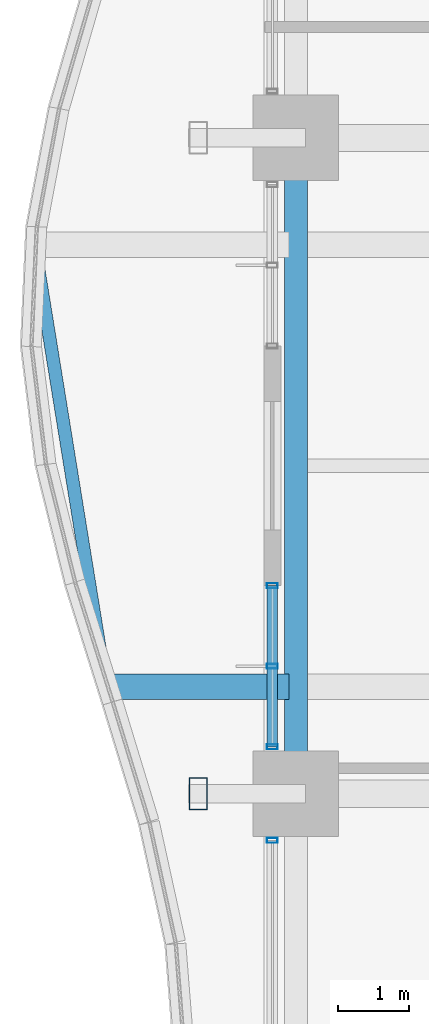
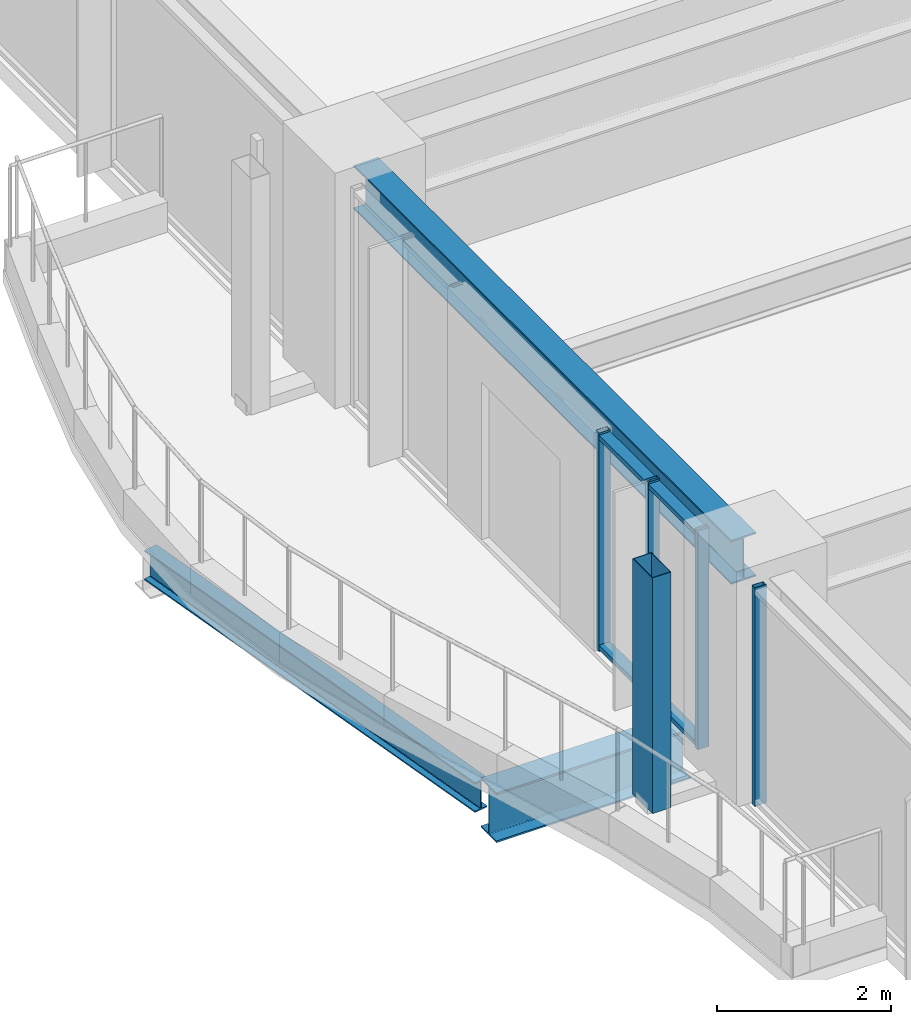
# One storey, part 8 of 38: 7 members, 3 beams, 2 elements without a shape of their own.
"""IFC4 building model written with IfcOpenShell, lengths in metres."""

from ifc_helpers import new_model, si_unit, direction, frame, origin, origin_2d, place, context, subcontext, project, spatial, hollow_rectangle, i_section, extrude, material, material_profile, profile_set, type_object, element, aggregate, save


model = new_model("IFC4")

# Units and contexts
model_context = context("Model", 3, precision=1e-05, world=origin(), true_north=direction((0.0, 1.0)))
body_context = subcontext(model_context, "Body", "Model", "MODEL_VIEW")
ifc_project = project(units=[si_unit("LENGTHUNIT", "METRE"), si_unit("AREAUNIT", "SQUARE_METRE"), si_unit("VOLUMEUNIT", "CUBIC_METRE"), si_unit("PLANEANGLEUNIT", "RADIAN"), si_unit("MASSUNIT", "GRAM", prefix="KILO")], contexts=[model_context])

# Site, building, storey
site_placement = place(None, origin())
site = spatial("IfcSite", under=ifc_project, at=site_placement, CompositionType="ELEMENT")
building_placement = place(site_placement, origin())
building = spatial("IfcBuilding", under=site, at=building_placement, Name="Kolvaren Belvedere", CompositionType="ELEMENT")
storey_placement = place(building_placement, frame((0.0, 0.0, 53.5)))
storey = spatial("IfcBuildingStorey", under=building, at=storey_placement, Name="L15", CompositionType="ELEMENT", Elevation=53.5)

# Beams
ifc_material_1 = material(Name="Structural steel ASTM A992 Grade 50", Category="steel")
ifc_material_profile_1 = material_profile(ifc_material_1, i_section(OverallWidth=0.35498046875, OverallDepth=0.696044921875, WebThickness=0.015380859375, FlangeThickness=0.02490234375, FilletRadius=0.02197265625, at=origin_2d()), Name="W27X146")
ifc_profile_set_1 = profile_set([ifc_material_profile_1], Name="Structural steel ASTM A992 Grade 50")
beam_type_1 = type_object("IfcBeamType", Name="BM-CANT-BAL", PredefinedType="BEAM", material=ifc_profile_set_1)
beam_1_placement = place(storey_placement, frame((-21.64501953125, -3.10009765625, -0.587890625), z_axis=(-1.0, 0.0, 0.0), x_axis=(0.0, -1.0, 0.0)))
element("IfcBeam", 1, at=beam_1_placement, inside=storey, type_object=beam_type_1, Name="L15 Planted Balcony Cantilever BAL-W-1", PredefinedType="BEAM", context=body_context, shape_type="SweptSolid", body=[
    extrude(i_section(OverallWidth=0.35498046875, OverallDepth=0.696044921875, WebThickness=0.015380859375, FlangeThickness=0.02490234375, FilletRadius=0.02197265625, at=origin_2d()), origin(), (0.0, 0.0, 1.0), 2.56884765625),
])
ifc_material_2 = material(Name="Structural steel ASTM A992 Grade 50", Category="steel")
ifc_material_profile_2 = material_profile(ifc_material_2, i_section(OverallWidth=0.180908203125, OverallDepth=0.4169921875, WebThickness=0.010986328125, FlangeThickness=0.018310546875, FilletRadius=0.013916015625, at=origin_2d()), Name="W16X57")
ifc_profile_set_2 = profile_set([ifc_material_profile_2], Name="Structural steel ASTM A992 Grade 50")
beam_type_2 = type_object("IfcBeamType", Name="BM-EDGE-W16X57", PredefinedType="BEAM", material=ifc_profile_set_2)
beam_2_placement = place(storey_placement, frame((-24.236083984375, -2.9619140625, -0.448486328125), z_axis=(-0.159567567211, 0.987187009383, 0.0), x_axis=(-0.987187009383, -0.159567567211, 0.0)))
element("IfcBeam", 2, at=beam_2_placement, inside=storey, type_object=beam_type_2, Name="L15 Balcony Tip Header Beam BAL-W", PredefinedType="BEAM", context=body_context, shape_type="SweptSolid", body=[
    extrude(i_section(OverallWidth=0.180908203125, OverallDepth=0.4169921875, WebThickness=0.010986328125, FlangeThickness=0.018310546875, FilletRadius=0.013916015625, at=origin_2d()), origin(), (0.0, 0.0, 1.0), 6.000732421875),
])
ifc_material_3 = material(Name="Structural steel ASTM A992 Grade 50", Category="steel")
ifc_material_profile_3 = material_profile(ifc_material_3, i_section(OverallWidth=0.324951171875, OverallDepth=0.615966796875, WebThickness=0.013916015625, FlangeThickness=0.021484375, FilletRadius=0.02001953125, at=origin_2d()), Name="W24X117")
ifc_profile_set_3 = profile_set([ifc_material_profile_3], Name="Structural steel ASTM A992 Grade 50")
beam_type_3 = type_object("IfcBeamType", Name="BM-SPAN-W24X117", PredefinedType="SPANDREL", material=ifc_profile_set_3)
beam_3_placement = place(storey_placement, frame((-21.550048828125, 4.330078125, 2.751953125), z_axis=(0.0, -1.0, 0.0), x_axis=(1.0, 0.0, 0.0)))
element("IfcBeam", 3, at=beam_3_placement, inside=storey, type_object=beam_type_3, Name="L15 Perimeter Spandrel W3-W2", PredefinedType="SPANDREL", context=body_context, shape_type="SweptSolid", body=[
    extrude(i_section(OverallWidth=0.324951171875, OverallDepth=0.615966796875, WebThickness=0.013916015625, FlangeThickness=0.021484375, FilletRadius=0.02001953125, at=origin_2d()), origin(), (0.0, 0.0, 1.0), 8.66015625),
])

# Curtain wall, member
ifc_material_4 = material(Name="Anodised pale-metal aluminium AA 6063-T6", Category="aluminium")
curtain_wall_type = type_object("IfcCurtainWallType", Name="CW-Z1-LOW", PredefinedType="NOTDEFINED", material=ifc_material_4)
curtain_wall_1_placement = place(storey_placement, origin())
curtain_wall_1 = element("IfcCurtainWall", 4, at=curtain_wall_1_placement, inside=storey, type_object=curtain_wall_type, Name="L15 Unitised Curtain Wall FCW-L15-W1-B1", PredefinedType="NOTDEFINED")
ifc_material_5 = material(Name="Anodised pale-metal aluminium AA 6063-T6", Category="aluminium")
ifc_material_profile_4 = material_profile(ifc_material_5, hollow_rectangle(XDim=0.070068359375, YDim=0.14990234375, WallThickness=0.004150390625, at=origin_2d()), Name="ALU-MUL-150X70")
ifc_profile_set_4 = profile_set([ifc_material_profile_4], Name="Anodised pale-metal aluminium AA 6063-T6")
member_type_1 = type_object("IfcMemberType", Name="CW-MUL-150", PredefinedType="MULLION", material=ifc_profile_set_4)
member_1_placement = place(storey_placement, frame((-21.8798828125, -5.2548828125, 0.0), z_axis=(0.0, 0.0, 1.0), x_axis=(0.0, 1.0, 0.0)))
member_1 = element("IfcMember", 5, at=member_1_placement, type_object=member_type_1, Name="FCW-L15-W1-B1 Unitised Mullion 3", PredefinedType="MULLION", context=body_context, shape_type="SweptSolid", body=[
    extrude(hollow_rectangle(XDim=0.070068359375, YDim=0.14990234375, WallThickness=0.004150390625, at=origin_2d()), origin(), (0.0, 0.0, 1.0), 3.06005859375),
])
aggregate(curtain_wall_1, [member_1])

# Curtain wall, members
curtain_wall_2_placement = place(storey_placement, origin())
curtain_wall_2 = element("IfcCurtainWall", 6, at=curtain_wall_2_placement, inside=storey, type_object=curtain_wall_type, Name="L15 Unitised Curtain Wall FCW-L15-W1-B2", PredefinedType="NOTDEFINED")
member_2_placement = place(storey_placement, frame((-21.8798828125, -3.945068359375, 0.0), z_axis=(0.0, 0.0, 1.0), x_axis=(0.0, 1.0, 0.0)))
member_2 = element("IfcMember", 7, at=member_2_placement, type_object=member_type_1, Name="FCW-L15-W1-B2 Unitised Mullion 1", PredefinedType="MULLION", context=body_context, shape_type="SweptSolid", body=[
    extrude(hollow_rectangle(XDim=0.070068359375, YDim=0.14990234375, WallThickness=0.004150390625, at=origin_2d()), origin(), (0.0, 0.0, 1.0), 3.06005859375),
])
member_3_placement = place(storey_placement, frame((-21.8798828125, -2.8125, 0.0), z_axis=(0.0, 0.0, 1.0), x_axis=(0.0, 1.0, 0.0)))
member_3 = element("IfcMember", 8, at=member_3_placement, type_object=member_type_1, Name="FCW-L15-W1-B2 Unitised Mullion 2", PredefinedType="MULLION", context=body_context, shape_type="SweptSolid", body=[
    extrude(hollow_rectangle(XDim=0.070068359375, YDim=0.14990234375, WallThickness=0.004150390625, at=origin_2d()), origin(), (0.0, 0.0, 1.0), 3.06005859375),
])
member_4_placement = place(storey_placement, frame((-21.8798828125, -1.679931640625, 0.0), z_axis=(0.0, 0.0, 1.0), x_axis=(0.0, 1.0, 0.0)))
member_4 = element("IfcMember", 9, at=member_4_placement, type_object=member_type_1, Name="FCW-L15-W1-B2 Unitised Mullion 3", PredefinedType="MULLION", context=body_context, shape_type="SweptSolid", body=[
    extrude(hollow_rectangle(XDim=0.070068359375, YDim=0.14990234375, WallThickness=0.004150390625, at=origin_2d()), origin(), (0.0, 0.0, 1.0), 3.06005859375),
])
ifc_material_6 = material(Name="Anodised pale-metal aluminium AA 6063-T6", Category="aluminium")
ifc_material_profile_5 = material_profile(ifc_material_6, hollow_rectangle(XDim=0.06494140625, YDim=0.14990234375, WallThickness=0.00390625, at=origin_2d()), Name="ALU-TRN-150X65")
ifc_profile_set_5 = profile_set([ifc_material_profile_5], Name="Anodised pale-metal aluminium AA 6063-T6")
member_type_2 = type_object("IfcMemberType", Name="CW-TRN-150", PredefinedType="USERDEFINED", material=ifc_profile_set_5)
member_5_placement = place(storey_placement, frame((-21.8798828125, -3.945068359375, 0.06005859375), z_axis=(0.0, 1.0, 0.0), x_axis=(0.0, 0.0, 1.0)))
member_5 = element("IfcMember", 10, at=member_5_placement, type_object=member_type_2, Name="FCW-L15-W1-B2 Sill Transom", ObjectType="TRANSOM", PredefinedType="USERDEFINED", context=body_context, shape_type="SweptSolid", body=[
    extrude(hollow_rectangle(XDim=0.06494140625, YDim=0.14990234375, WallThickness=0.00390625, at=origin_2d()), origin(), (0.0, 0.0, 1.0), 2.26513671875),
])
member_6_placement = place(storey_placement, frame((-21.8798828125, -3.945068359375, 3.0), z_axis=(0.0, 1.0, 0.0), x_axis=(0.0, 0.0, 1.0)))
member_6 = element("IfcMember", 11, at=member_6_placement, type_object=member_type_2, Name="FCW-L15-W1-B2 Head Transom", ObjectType="TRANSOM", PredefinedType="USERDEFINED", context=body_context, shape_type="SweptSolid", body=[
    extrude(hollow_rectangle(XDim=0.06494140625, YDim=0.14990234375, WallThickness=0.00390625, at=origin_2d()), origin(), (0.0, 0.0, 1.0), 2.26513671875),
])
aggregate(curtain_wall_2, [member_2, member_3, member_4, member_5, member_6])

# Member
ifc_material_7 = material(Name="Anodised pale-metal aluminium AA 6063-T6", Category="aluminium")
ifc_material_profile_6 = material_profile(ifc_material_7, hollow_rectangle(XDim=0.25, YDim=0.449951171875, WallThickness=0.008544921875, at=origin_2d()), Name="ALU-PF-450X250")
ifc_profile_set_6 = profile_set([ifc_material_profile_6], Name="Anodised pale-metal aluminium AA 6063-T6")
member_type_3 = type_object("IfcMemberType", Name="PF-FRAME-450", PredefinedType="USERDEFINED", material=ifc_profile_set_6)
member_7_placement = place(storey_placement, frame((-22.919921875, -4.60009765625, 0.0), z_axis=(0.0, 0.0, 1.0), x_axis=(1.0, 0.0, 0.0)))
element("IfcMember", 12, at=member_7_placement, inside=storey, type_object=member_type_3, Name="L15 Outboard Picture-Frame Vertical W1", ObjectType="PICTURE FRAME FIN", PredefinedType="USERDEFINED", context=body_context, shape_type="SweptSolid", body=[
    extrude(hollow_rectangle(XDim=0.25, YDim=0.449951171875, WallThickness=0.008544921875, at=origin_2d()), origin(), (0.0, 0.0, 1.0), 3.300048828125),
])

save(model, "model.ifc")
